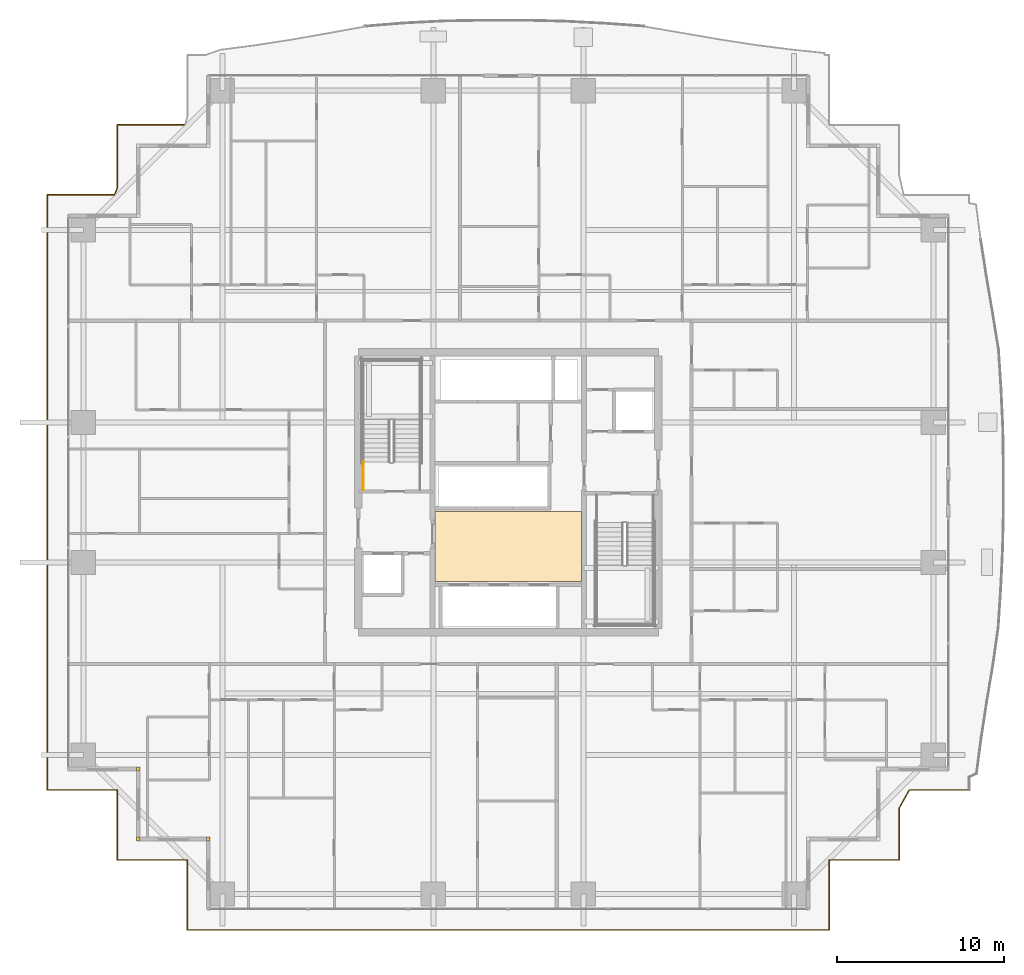
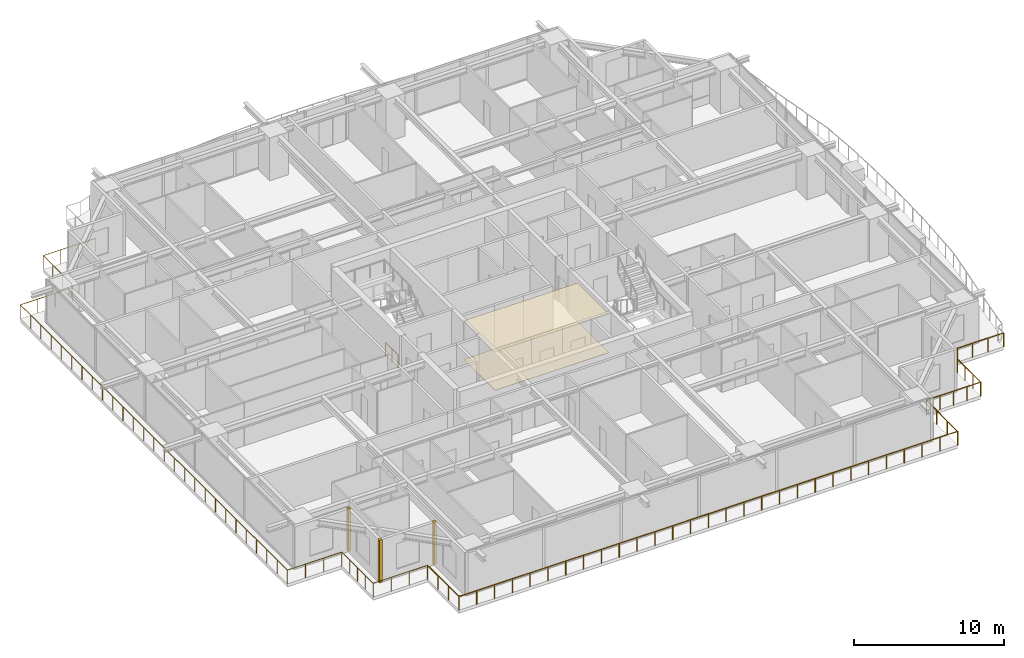
# One storey, part 34 of 38: 5 coverings, 3 railings.
"""IFC4 building model written with IfcOpenShell, lengths in metres."""

from ifc_helpers import new_model, si_unit, direction, frame, origin, origin_2d, place, context, subcontext, project, spatial, polyline, rectangle, circle, outline, extrude, source, transform, mapped, material, layer, layer_set, type_object, element, save


model = new_model("IFC4")

# Units and contexts
model_context = context("Model", 3, precision=1e-05, world=origin(), true_north=direction((0.0, 1.0)))
body_context = subcontext(model_context, "Body", "Model", "MODEL_VIEW")
ifc_project = project(units=[si_unit("LENGTHUNIT", "METRE"), si_unit("AREAUNIT", "SQUARE_METRE"), si_unit("VOLUMEUNIT", "CUBIC_METRE"), si_unit("PLANEANGLEUNIT", "RADIAN"), si_unit("MASSUNIT", "GRAM", prefix="KILO")], contexts=[model_context])

# Site, building, storey
site_placement = place(None, origin())
site = spatial("IfcSite", under=ifc_project, at=site_placement, CompositionType="ELEMENT")
building_placement = place(site_placement, origin())
building = spatial("IfcBuilding", under=site, at=building_placement, Name="Serunith Strait Residences", CompositionType="ELEMENT")
storey_placement = place(building_placement, frame((0.0, 0.0, 82.949951171875)))
storey = spatial("IfcBuildingStorey", under=building, at=storey_placement, Name="L20", CompositionType="ELEMENT", Elevation=82.949951171875)

# Coverings
ifc_material_1 = material(Name="Perforated acoustic gypsum ceiling tile")
ifc_layer_1 = layer(ifc_material_1, 0.02490234375, Name="Perforated acoustic gypsum ceiling tile")
ifc_layer_set_1 = layer_set([ifc_layer_1], Name="Perforated acoustic gypsum ceiling tile")
covering_type_1 = type_object("IfcCoveringType", Name="COV-CEIL-AC60", PredefinedType="CEILING", material=ifc_layer_set_1)
covering_1_placement = place(storey_placement, frame((0.0, 0.0, 3.14013671875)))
element("IfcCovering", 1, at=covering_1_placement, inside=storey, type_object=covering_type_1, Name="L20 Lift Lobby Acoustic Ceiling", PredefinedType="CEILING", context=body_context, shape_type="SweptSolid", body=[
    extrude(outline(polyline([(28.0, 19.85009765625), (36.800048828125, 19.85009765625), (36.800048828125, 24.050048828125), (28.0, 24.050048828125), (28.0, 19.85009765625)])), origin(), (0.0, 0.0, 1.0), 0.02490234375),
])
ifc_material_2 = material(Name="Honed limestone terrazzo flooring", Category="masonry")
ifc_layer_2 = layer(ifc_material_2, 0.02001953125, Name="Honed limestone terrazzo flooring")
ifc_layer_set_2 = layer_set([ifc_layer_2], Name="Honed limestone terrazzo flooring")
covering_type_2 = type_object("IfcCoveringType", Name="COV-FLOOR-TER40", PredefinedType="FLOORING", material=ifc_layer_set_2)
covering_2_placement = place(storey_placement, origin())
element("IfcCovering", 2, at=covering_2_placement, inside=storey, type_object=covering_type_2, Name="L20 Lift Lobby Terrazzo Flooring", PredefinedType="FLOORING", context=body_context, shape_type="SweptSolid", body=[
    extrude(outline(polyline([(28.0, 19.85009765625), (36.800048828125, 19.85009765625), (36.800048828125, 24.050048828125), (28.0, 24.050048828125), (28.0, 19.85009765625)])), origin(), (0.0, 0.0, 1.0), 0.02001953125),
])

# Railings
ifc_material_3 = material(Name="Stainless Steel & Laminated Glass Balustrade", Category="steel")
railing_type_1 = type_object("IfcRailingType", Name="RLG-BALC-1150", PredefinedType="BALUSTRADE", material=ifc_material_3)
railing_1_placement = place(storey_placement, frame((60.06005859375, 7.340087890625, -0.050048828125)))
element("IfcRailing", 3, at=railing_1_placement, inside=storey, type_object=railing_type_1, Name="L20 Swirling Balcony Perimeter Balustrade 7", PredefinedType="BALUSTRADE", context=body_context, shape_type="SweptSolid", body=[
    extrude(circle(Radius=0.02392578125, at=origin_2d()), frame((-0.001953125, 0.0, 1.1259765625), z_axis=(-1.0, 0.0, 0.0), x_axis=(0.0, -1.0, 0.0)), (0.0, 0.0, 1.0), 3.5888671875),
    extrude(circle(Radius=0.02392578125, at=origin_2d()), frame((-3.59375, -0.001708984375, 1.1259765625), z_axis=(-0.494019645992, -0.86945074005, 0.0), x_axis=(0.86945074005, -0.494019645992, 0.0)), (0.0, 0.0, 1.0), 1.22509765625),
    extrude(circle(Radius=0.02392578125, at=origin_2d()), frame((-4.199951171875, -1.070556640625, 1.1259765625), z_axis=(0.0, -1.0, 0.0), x_axis=(1.0, 0.0, 0.0)), (0.0, 0.0, 1.0), 3.127685546875),
    extrude(circle(Radius=0.02392578125, at=origin_2d()), frame((-4.201904296875, -4.2001953125, 1.1259765625), z_axis=(-1.0, 0.0, 0.0), x_axis=(0.0, -1.0, 0.0)), (0.0, 0.0, 1.0), 4.1962890625),
    extrude(circle(Radius=0.02392578125, at=origin_2d()), frame((-8.400146484375, -4.2021484375, 1.1259765625), z_axis=(0.0, -1.0, 0.0), x_axis=(1.0, 0.0, 0.0)), (0.0, 0.0, 1.0), 4.196044921875),
    extrude(circle(Radius=0.02392578125, at=origin_2d()), frame((-8.402099609375, -8.400146484375, 1.1259765625), z_axis=(-1.0, 0.0, 0.0), x_axis=(0.0, -1.0, 0.0)), (0.0, 0.0, 1.0), 38.51611328125),
    extrude(circle(Radius=0.02392578125, at=origin_2d()), frame((-46.920166015625, -8.398193359375, 1.1259765625), z_axis=(0.0, 1.0, 0.0), x_axis=(-1.0, 0.0, 0.0)), (0.0, 0.0, 1.0), 4.196044921875),
    extrude(circle(Radius=0.02099609375, at=origin_2d()), origin(), (0.0, 0.0, 1.0), 1.099853515625),
    extrude(circle(Radius=0.02099609375, at=origin_2d()), frame((-1.197509765625, 0.0, 0.0)), (0.0, 0.0, 1.0), 1.099853515625),
    extrude(circle(Radius=0.02099609375, at=origin_2d()), frame((-2.395263671875, 0.0, 0.0)), (0.0, 0.0, 1.0), 1.099853515625),
    extrude(circle(Radius=0.02099609375, at=origin_2d()), frame((-3.5927734375, 0.0, 0.0)), (0.0, 0.0, 1.0), 1.099853515625),
    extrude(circle(Radius=0.02099609375, at=origin_2d()), frame((-4.199951171875, -1.068603515625, 0.0)), (0.0, 0.0, 1.0), 1.099853515625),
    extrude(circle(Radius=0.02099609375, at=origin_2d()), frame((-4.199951171875, -2.112548828125, 0.0)), (0.0, 0.0, 1.0), 1.099853515625),
    extrude(circle(Radius=0.02099609375, at=origin_2d()), frame((-4.199951171875, -3.15625, 0.0)), (0.0, 0.0, 1.0), 1.099853515625),
    extrude(circle(Radius=0.02099609375, at=origin_2d()), frame((-4.199951171875, -4.2001953125, 0.0)), (0.0, 0.0, 1.0), 1.099853515625),
    extrude(circle(Radius=0.02099609375, at=origin_2d()), frame((-5.25, -4.2001953125, 0.0)), (0.0, 0.0, 1.0), 1.099853515625),
    extrude(circle(Radius=0.02099609375, at=origin_2d()), frame((-6.300048828125, -4.2001953125, 0.0)), (0.0, 0.0, 1.0), 1.099853515625),
    extrude(circle(Radius=0.02099609375, at=origin_2d()), frame((-7.35009765625, -4.2001953125, 0.0)), (0.0, 0.0, 1.0), 1.099853515625),
    extrude(circle(Radius=0.02099609375, at=origin_2d()), frame((-8.400146484375, -4.2001953125, 0.0)), (0.0, 0.0, 1.0), 1.099853515625),
    extrude(circle(Radius=0.02099609375, at=origin_2d()), frame((-8.400146484375, -5.60009765625, 0.0)), (0.0, 0.0, 1.0), 1.099853515625),
    extrude(circle(Radius=0.02099609375, at=origin_2d()), frame((-8.400146484375, -7.000244140625, 0.0)), (0.0, 0.0, 1.0), 1.099853515625),
    extrude(circle(Radius=0.02099609375, at=origin_2d()), frame((-8.400146484375, -8.400146484375, 0.0)), (0.0, 0.0, 1.0), 1.099853515625),
    extrude(circle(Radius=0.02099609375, at=origin_2d()), frame((-9.77587890625, -8.400146484375, 0.0)), (0.0, 0.0, 1.0), 1.099853515625),
    extrude(circle(Radius=0.02099609375, at=origin_2d()), frame((-11.151611328125, -8.400146484375, 0.0)), (0.0, 0.0, 1.0), 1.099853515625),
    extrude(circle(Radius=0.02099609375, at=origin_2d()), frame((-12.52734375, -8.400146484375, 0.0)), (0.0, 0.0, 1.0), 1.099853515625),
    extrude(circle(Radius=0.02099609375, at=origin_2d()), frame((-13.903076171875, -8.400146484375, 0.0)), (0.0, 0.0, 1.0), 1.099853515625),
    extrude(circle(Radius=0.02099609375, at=origin_2d()), frame((-15.27880859375, -8.400146484375, 0.0)), (0.0, 0.0, 1.0), 1.099853515625),
    extrude(circle(Radius=0.02099609375, at=origin_2d()), frame((-16.654541015625, -8.400146484375, 0.0)), (0.0, 0.0, 1.0), 1.099853515625),
    extrude(circle(Radius=0.02099609375, at=origin_2d()), frame((-18.0302734375, -8.400146484375, 0.0)), (0.0, 0.0, 1.0), 1.099853515625),
    extrude(circle(Radius=0.02099609375, at=origin_2d()), frame((-19.40576171875, -8.400146484375, 0.0)), (0.0, 0.0, 1.0), 1.099853515625),
    extrude(circle(Radius=0.02099609375, at=origin_2d()), frame((-20.781494140625, -8.400146484375, 0.0)), (0.0, 0.0, 1.0), 1.099853515625),
    extrude(circle(Radius=0.02099609375, at=origin_2d()), frame((-22.1572265625, -8.400146484375, 0.0)), (0.0, 0.0, 1.0), 1.099853515625),
    extrude(circle(Radius=0.02099609375, at=origin_2d()), frame((-23.532958984375, -8.400146484375, 0.0)), (0.0, 0.0, 1.0), 1.099853515625),
    extrude(circle(Radius=0.02099609375, at=origin_2d()), frame((-24.90869140625, -8.400146484375, 0.0)), (0.0, 0.0, 1.0), 1.099853515625),
    extrude(circle(Radius=0.02099609375, at=origin_2d()), frame((-26.284423828125, -8.400146484375, 0.0)), (0.0, 0.0, 1.0), 1.099853515625),
    extrude(circle(Radius=0.02099609375, at=origin_2d()), frame((-27.66015625, -8.400146484375, 0.0)), (0.0, 0.0, 1.0), 1.099853515625),
    extrude(circle(Radius=0.02099609375, at=origin_2d()), frame((-29.035888671875, -8.400146484375, 0.0)), (0.0, 0.0, 1.0), 1.099853515625),
    extrude(circle(Radius=0.02099609375, at=origin_2d()), frame((-30.41162109375, -8.400146484375, 0.0)), (0.0, 0.0, 1.0), 1.099853515625),
    extrude(circle(Radius=0.02099609375, at=origin_2d()), frame((-31.787353515625, -8.400146484375, 0.0)), (0.0, 0.0, 1.0), 1.099853515625),
    extrude(circle(Radius=0.02099609375, at=origin_2d()), frame((-33.1630859375, -8.400146484375, 0.0)), (0.0, 0.0, 1.0), 1.099853515625),
    extrude(circle(Radius=0.02099609375, at=origin_2d()), frame((-34.538818359375, -8.400146484375, 0.0)), (0.0, 0.0, 1.0), 1.099853515625),
    extrude(circle(Radius=0.02099609375, at=origin_2d()), frame((-35.91455078125, -8.400146484375, 0.0)), (0.0, 0.0, 1.0), 1.099853515625),
    extrude(circle(Radius=0.02099609375, at=origin_2d()), frame((-37.2900390625, -8.400146484375, 0.0)), (0.0, 0.0, 1.0), 1.099853515625),
    extrude(circle(Radius=0.02099609375, at=origin_2d()), frame((-38.665771484375, -8.400146484375, 0.0)), (0.0, 0.0, 1.0), 1.099853515625),
    extrude(circle(Radius=0.02099609375, at=origin_2d()), frame((-40.04150390625, -8.400146484375, 0.0)), (0.0, 0.0, 1.0), 1.099853515625),
    extrude(circle(Radius=0.02099609375, at=origin_2d()), frame((-41.417236328125, -8.400146484375, 0.0)), (0.0, 0.0, 1.0), 1.099853515625),
    extrude(circle(Radius=0.02099609375, at=origin_2d()), frame((-42.79296875, -8.400146484375, 0.0)), (0.0, 0.0, 1.0), 1.099853515625),
    extrude(circle(Radius=0.02099609375, at=origin_2d()), frame((-44.168701171875, -8.400146484375, 0.0)), (0.0, 0.0, 1.0), 1.099853515625),
    extrude(circle(Radius=0.02099609375, at=origin_2d()), frame((-45.54443359375, -8.400146484375, 0.0)), (0.0, 0.0, 1.0), 1.099853515625),
    extrude(circle(Radius=0.02099609375, at=origin_2d()), frame((-46.920166015625, -8.400146484375, 0.0)), (0.0, 0.0, 1.0), 1.099853515625),
    extrude(circle(Radius=0.02099609375, at=origin_2d()), frame((-46.920166015625, -7.000244140625, 0.0)), (0.0, 0.0, 1.0), 1.099853515625),
    extrude(circle(Radius=0.02099609375, at=origin_2d()), frame((-46.920166015625, -5.60009765625, 0.0)), (0.0, 0.0, 1.0), 1.099853515625),
    extrude(circle(Radius=0.02099609375, at=origin_2d()), frame((-46.920166015625, -4.2001953125, 0.0)), (0.0, 0.0, 1.0), 1.099853515625),
])
railing_2_placement = place(storey_placement, frame((13.139892578125, 3.139892578125, -0.050048828125)))
element("IfcRailing", 4, at=railing_2_placement, inside=storey, type_object=railing_type_1, Name="L20 Swirling Balcony Perimeter Balustrade 8", PredefinedType="BALUSTRADE", context=body_context, shape_type="SweptSolid", body=[
    extrude(circle(Radius=0.02392578125, at=origin_2d()), frame((-0.001953125, 0.0, 1.1259765625), z_axis=(-1.0, 0.0, 0.0), x_axis=(0.0, -1.0, 0.0)), (0.0, 0.0, 1.0), 4.196044921875),
    extrude(circle(Radius=0.02392578125, at=origin_2d()), frame((-4.199951171875, 0.001953125, 1.1259765625), z_axis=(0.0, 1.0, 0.0), x_axis=(-1.0, 0.0, 0.0)), (0.0, 0.0, 1.0), 4.1962890625),
    extrude(circle(Radius=0.02392578125, at=origin_2d()), frame((-4.201904296875, 4.2001953125, 1.1259765625), z_axis=(-1.0, 0.0, 0.0), x_axis=(0.0, -1.0, 0.0)), (0.0, 0.0, 1.0), 4.196044921875),
    extrude(circle(Radius=0.02392578125, at=origin_2d()), frame((-8.39990234375, 4.2021484375, 1.1259765625), z_axis=(0.0, 1.0, 0.0), x_axis=(-1.0, 0.0, 0.0)), (0.0, 0.0, 1.0), 35.716064453125),
    extrude(circle(Radius=0.02392578125, at=origin_2d()), frame((-8.39794921875, 39.920166015625, 1.1259765625), z_axis=(1.0, 0.0, 0.0), x_axis=(0.0, 1.0, 0.0)), (0.0, 0.0, 1.0), 4.014892578125),
    extrude(circle(Radius=0.02392578125, at=origin_2d()), frame((-4.38037109375, 39.921875, 1.1259765625), z_axis=(0.414518347731, 0.91004095479, 0.0), x_axis=(-0.91004095479, 0.414518347731, 0.0)), (0.0, 0.0, 1.0), 0.43310546875),
    extrude(circle(Radius=0.02392578125, at=origin_2d()), frame((-4.199951171875, 40.31982421875, 1.1259765625), z_axis=(0.0, 1.0, 0.0), x_axis=(-1.0, 0.0, 0.0)), (0.0, 0.0, 1.0), 3.79833984375),
    extrude(circle(Radius=0.02392578125, at=origin_2d()), frame((-4.197998046875, 44.1201171875, 1.1259765625), z_axis=(1.0, 0.0, 0.0), x_axis=(0.0, 1.0, 0.0)), (0.0, 0.0, 1.0), 4.052734375),
    extrude(circle(Radius=0.02099609375, at=origin_2d()), origin(), (0.0, 0.0, 1.0), 1.099853515625),
    extrude(circle(Radius=0.02099609375, at=origin_2d()), frame((-1.39990234375, 0.0, 0.0)), (0.0, 0.0, 1.0), 1.099853515625),
    extrude(circle(Radius=0.02099609375, at=origin_2d()), frame((-2.800048828125, 0.0, 0.0)), (0.0, 0.0, 1.0), 1.099853515625),
    extrude(circle(Radius=0.02099609375, at=origin_2d()), frame((-4.199951171875, 0.0, 0.0)), (0.0, 0.0, 1.0), 1.099853515625),
    extrude(circle(Radius=0.02099609375, at=origin_2d()), frame((-4.199951171875, 1.050048828125, 0.0)), (0.0, 0.0, 1.0), 1.099853515625),
    extrude(circle(Radius=0.02099609375, at=origin_2d()), frame((-4.199951171875, 2.10009765625, 0.0)), (0.0, 0.0, 1.0), 1.099853515625),
    extrude(circle(Radius=0.02099609375, at=origin_2d()), frame((-4.199951171875, 3.150146484375, 0.0)), (0.0, 0.0, 1.0), 1.099853515625),
    extrude(circle(Radius=0.02099609375, at=origin_2d()), frame((-4.199951171875, 4.2001953125, 0.0)), (0.0, 0.0, 1.0), 1.099853515625),
    extrude(circle(Radius=0.02099609375, at=origin_2d()), frame((-5.599853515625, 4.2001953125, 0.0)), (0.0, 0.0, 1.0), 1.099853515625),
    extrude(circle(Radius=0.02099609375, at=origin_2d()), frame((-7.0, 4.2001953125, 0.0)), (0.0, 0.0, 1.0), 1.099853515625),
    extrude(circle(Radius=0.02099609375, at=origin_2d()), frame((-8.39990234375, 4.2001953125, 0.0)), (0.0, 0.0, 1.0), 1.099853515625),
    extrude(circle(Radius=0.02099609375, at=origin_2d()), frame((-8.39990234375, 5.573974609375, 0.0)), (0.0, 0.0, 1.0), 1.099853515625),
    extrude(circle(Radius=0.02099609375, at=origin_2d()), frame((-8.39990234375, 6.947998046875, 0.0)), (0.0, 0.0, 1.0), 1.099853515625),
    extrude(circle(Radius=0.02099609375, at=origin_2d()), frame((-8.39990234375, 8.32177734375, 0.0)), (0.0, 0.0, 1.0), 1.099853515625),
    extrude(circle(Radius=0.02099609375, at=origin_2d()), frame((-8.39990234375, 9.695556640625, 0.0)), (0.0, 0.0, 1.0), 1.099853515625),
    extrude(circle(Radius=0.02099609375, at=origin_2d()), frame((-8.39990234375, 11.0693359375, 0.0)), (0.0, 0.0, 1.0), 1.099853515625),
    extrude(circle(Radius=0.02099609375, at=origin_2d()), frame((-8.39990234375, 12.443359375, 0.0)), (0.0, 0.0, 1.0), 1.099853515625),
    extrude(circle(Radius=0.02099609375, at=origin_2d()), frame((-8.39990234375, 13.817138671875, 0.0)), (0.0, 0.0, 1.0), 1.099853515625),
    extrude(circle(Radius=0.02099609375, at=origin_2d()), frame((-8.39990234375, 15.19091796875, 0.0)), (0.0, 0.0, 1.0), 1.099853515625),
    extrude(circle(Radius=0.02099609375, at=origin_2d()), frame((-8.39990234375, 16.564697265625, 0.0)), (0.0, 0.0, 1.0), 1.099853515625),
    extrude(circle(Radius=0.02099609375, at=origin_2d()), frame((-8.39990234375, 17.938720703125, 0.0)), (0.0, 0.0, 1.0), 1.099853515625),
    extrude(circle(Radius=0.02099609375, at=origin_2d()), frame((-8.39990234375, 19.3125, 0.0)), (0.0, 0.0, 1.0), 1.099853515625),
    extrude(circle(Radius=0.02099609375, at=origin_2d()), frame((-8.39990234375, 20.686279296875, 0.0)), (0.0, 0.0, 1.0), 1.099853515625),
    extrude(circle(Radius=0.02099609375, at=origin_2d()), frame((-8.39990234375, 22.06005859375, 0.0)), (0.0, 0.0, 1.0), 1.099853515625),
    extrude(circle(Radius=0.02099609375, at=origin_2d()), frame((-8.39990234375, 23.43408203125, 0.0)), (0.0, 0.0, 1.0), 1.099853515625),
    extrude(circle(Radius=0.02099609375, at=origin_2d()), frame((-8.39990234375, 24.807861328125, 0.0)), (0.0, 0.0, 1.0), 1.099853515625),
    extrude(circle(Radius=0.02099609375, at=origin_2d()), frame((-8.39990234375, 26.181640625, 0.0)), (0.0, 0.0, 1.0), 1.099853515625),
    extrude(circle(Radius=0.02099609375, at=origin_2d()), frame((-8.39990234375, 27.5556640625, 0.0)), (0.0, 0.0, 1.0), 1.099853515625),
    extrude(circle(Radius=0.02099609375, at=origin_2d()), frame((-8.39990234375, 28.929443359375, 0.0)), (0.0, 0.0, 1.0), 1.099853515625),
    extrude(circle(Radius=0.02099609375, at=origin_2d()), frame((-8.39990234375, 30.30322265625, 0.0)), (0.0, 0.0, 1.0), 1.099853515625),
    extrude(circle(Radius=0.02099609375, at=origin_2d()), frame((-8.39990234375, 31.677001953125, 0.0)), (0.0, 0.0, 1.0), 1.099853515625),
    extrude(circle(Radius=0.02099609375, at=origin_2d()), frame((-8.39990234375, 33.051025390625, 0.0)), (0.0, 0.0, 1.0), 1.099853515625),
    extrude(circle(Radius=0.02099609375, at=origin_2d()), frame((-8.39990234375, 34.4248046875, 0.0)), (0.0, 0.0, 1.0), 1.099853515625),
    extrude(circle(Radius=0.02099609375, at=origin_2d()), frame((-8.39990234375, 35.798583984375, 0.0)), (0.0, 0.0, 1.0), 1.099853515625),
    extrude(circle(Radius=0.02099609375, at=origin_2d()), frame((-8.39990234375, 37.17236328125, 0.0)), (0.0, 0.0, 1.0), 1.099853515625),
    extrude(circle(Radius=0.02099609375, at=origin_2d()), frame((-8.39990234375, 38.54638671875, 0.0)), (0.0, 0.0, 1.0), 1.099853515625),
    extrude(circle(Radius=0.02099609375, at=origin_2d()), frame((-8.39990234375, 39.920166015625, 0.0)), (0.0, 0.0, 1.0), 1.099853515625),
    extrude(circle(Radius=0.02099609375, at=origin_2d()), frame((-7.060302734375, 39.920166015625, 0.0)), (0.0, 0.0, 1.0), 1.099853515625),
    extrude(circle(Radius=0.02099609375, at=origin_2d()), frame((-5.720703125, 39.920166015625, 0.0)), (0.0, 0.0, 1.0), 1.099853515625),
    extrude(circle(Radius=0.02099609375, at=origin_2d()), frame((-4.381103515625, 39.920166015625, 0.0)), (0.0, 0.0, 1.0), 1.099853515625),
    extrude(circle(Radius=0.02099609375, at=origin_2d()), frame((-4.199951171875, 40.31787109375, 0.0)), (0.0, 0.0, 1.0), 1.099853515625),
    extrude(circle(Radius=0.02099609375, at=origin_2d()), frame((-4.199951171875, 41.585205078125, 0.0)), (0.0, 0.0, 1.0), 1.099853515625),
    extrude(circle(Radius=0.02099609375, at=origin_2d()), frame((-4.199951171875, 42.852783203125, 0.0)), (0.0, 0.0, 1.0), 1.099853515625),
    extrude(circle(Radius=0.02099609375, at=origin_2d()), frame((-4.199951171875, 44.1201171875, 0.0)), (0.0, 0.0, 1.0), 1.099853515625),
    extrude(circle(Radius=0.02099609375, at=origin_2d()), frame((-2.84765625, 44.1201171875, 0.0)), (0.0, 0.0, 1.0), 1.099853515625),
    extrude(circle(Radius=0.02099609375, at=origin_2d()), frame((-1.49560546875, 44.1201171875, 0.0)), (0.0, 0.0, 1.0), 1.099853515625),
    extrude(circle(Radius=0.02099609375, at=origin_2d()), frame((-0.143310546875, 44.1201171875, 0.0)), (0.0, 0.0, 1.0), 1.099853515625),
])
ifc_material_4 = material(Name="Brushed stainless steel 316L", Category="steel")
railing_type_2 = type_object("IfcRailingType", Name="RLG-STAIR-GUARD", PredefinedType="BALUSTRADE", material=ifc_material_4)
railing_3_placement = place(storey_placement, frame((23.699951171875, 25.35009765625, 0.0)))
element("IfcRailing", 5, at=railing_3_placement, inside=storey, type_object=railing_type_2, Name="L20 ST-1 stair guard 9", PredefinedType="BALUSTRADE", context=body_context, shape_type="SweptSolid", body=[
    extrude(circle(Radius=0.02392578125, at=origin_2d()), frame((0.0, 0.001953125, 1.076171875), z_axis=(0.0, 1.0, 0.0), x_axis=(-1.0, 0.0, 0.0)), (0.0, 0.0, 1.0), 1.676025390625),
    extrude(circle(Radius=0.02099609375, at=origin_2d()), origin(), (0.0, 0.0, 1.0), 1.050048828125),
    extrude(circle(Radius=0.02099609375, at=origin_2d()), frame((0.0, 0.83984375, 0.0)), (0.0, 0.0, 1.0), 1.050048828125),
    extrude(circle(Radius=0.02099609375, at=origin_2d()), frame((0.0, 1.679931640625, 0.0)), (0.0, 0.0, 1.0), 1.050048828125),
])

# Coverings
ifc_material_5 = material(Name="Pale-Champagne Anodised Aluminium", Category="aluminium")
ifc_layer_3 = layer(ifc_material_5, 0.219970703125, Name="Pale-Champagne Anodised Aluminium")
ifc_layer_set_3 = layer_set([ifc_layer_3], Name="Pale-Champagne Anodised Aluminium")
covering_type_3 = type_object("IfcCoveringType", Name="COV-CORN-TRIM", PredefinedType="CLADDING", material=ifc_layer_set_3)
shared_shape = source(origin(), body_context, "Body", "SweptSolid", [
    extrude(rectangle(XDim=0.221923828125, YDim=0.221923828125, at=origin_2d()), origin(), (0.0, 0.0, 1.0), 3.47509765625),
])
for number, where, z_axis, x_axis, name in (
    (6, (10.199951171875, 8.60009765625, 0.0), (0.0, 0.0, 1.0), (1.0, 0.0, 0.0), "L20 Girih Serrated Corner Trim Post 17"),
    (7, (10.199951171875, 4.39990234375, 0.0), (0.0, 0.0, 1.0), (1.0, 0.0, 0.0), "L20 Girih Serrated Corner Trim Post 18"),
    (8, (14.39990234375, 4.39990234375, 0.0), (0.0, 0.0, 1.0), (1.0, 0.0, 0.0), "L20 Girih Serrated Corner Trim Post 19"),
):
    element("IfcCovering", number, at=place(storey_placement, frame(where, z_axis=z_axis, x_axis=x_axis)), inside=storey, type_object=covering_type_3, Name=name, PredefinedType="CLADDING", context=body_context, shape_type="MappedRepresentation", body=[
        mapped(shared_shape, transform((0.0, 0.0, 0.0), scale=1.0)),
    ])

save(model, "model.ifc")
